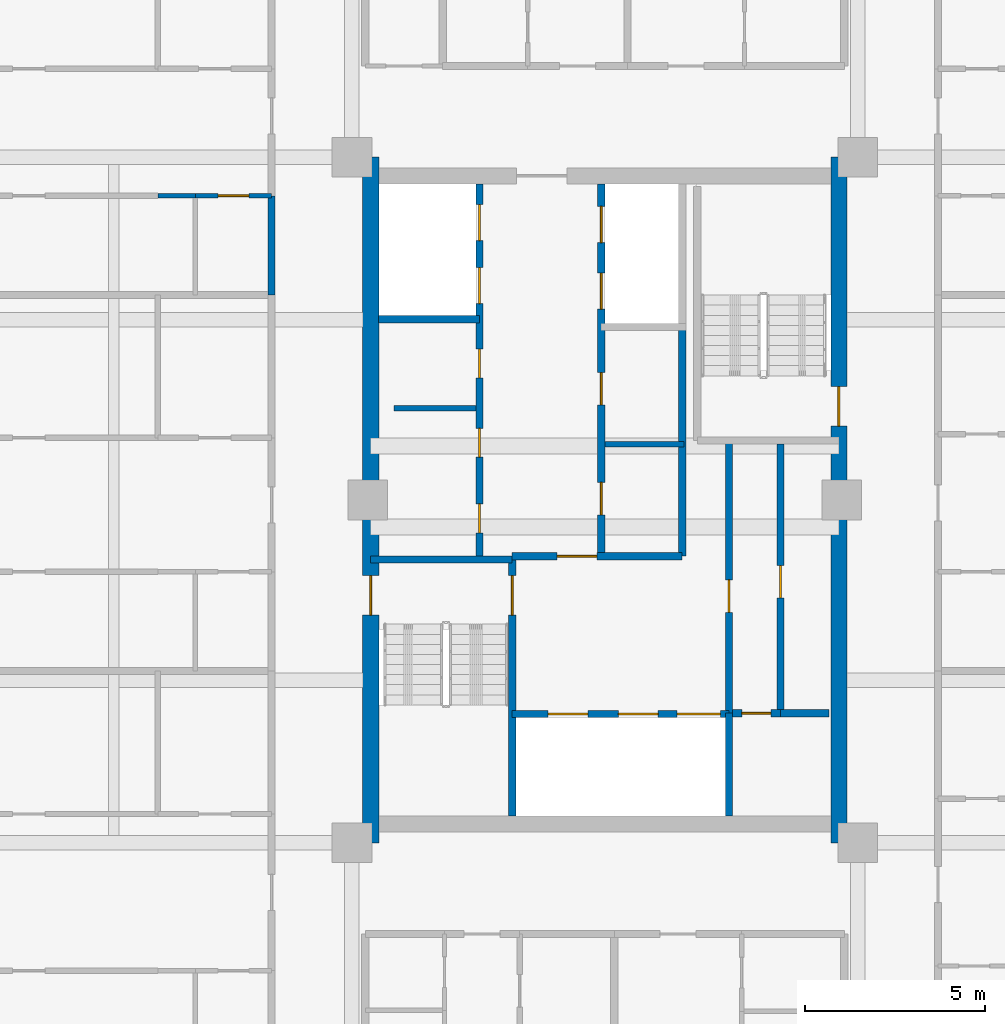
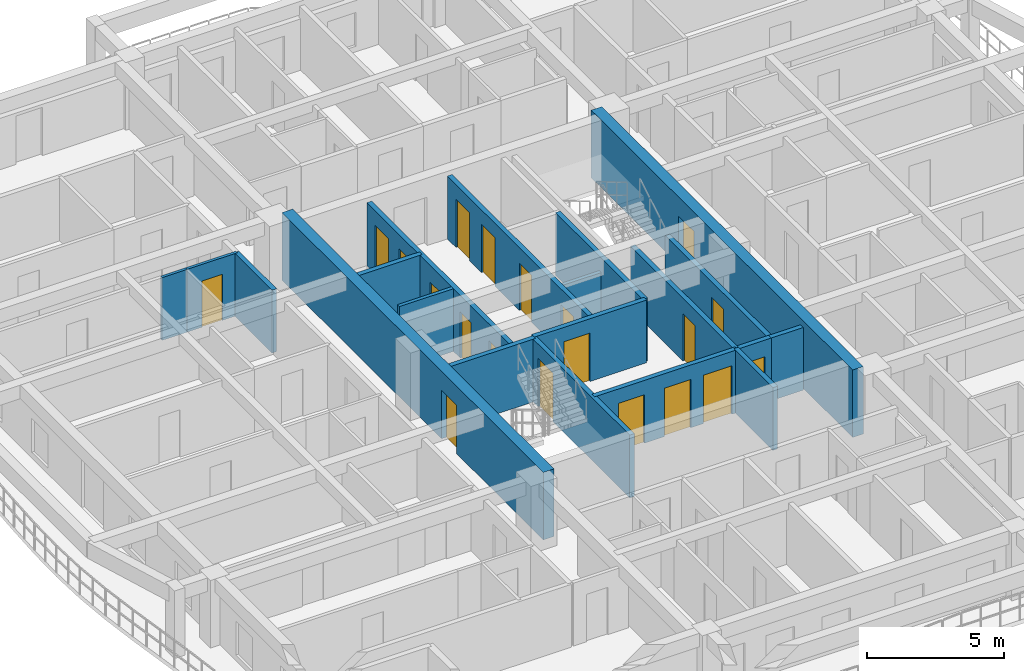
# One storey, part 4 of 13: 20 doors, 20 walls, 20 openings.
"""IFC4 building model written with IfcOpenShell, lengths in metres."""

from ifc_helpers import new_model, si_unit, direction, frame, frame_2d, origin, place, context, subcontext, project, spatial, rectangle, extrude, source, transform, mapped, material, layer, layer_set, type_object, element, fill, save


model = new_model("IFC4")

# Units and contexts
model_context = context("Model", 3, precision=1e-05, world=origin(), true_north=direction((0.0, 1.0)))
body_context = subcontext(model_context, "Body", "Model", "MODEL_VIEW")
ifc_project = project(units=[si_unit("LENGTHUNIT", "METRE"), si_unit("AREAUNIT", "SQUARE_METRE"), si_unit("VOLUMEUNIT", "CUBIC_METRE"), si_unit("PLANEANGLEUNIT", "RADIAN"), si_unit("MASSUNIT", "GRAM", prefix="KILO")], contexts=[model_context])

# Site, building, storey
site_placement = place(None, origin())
site = spatial("IfcSite", under=ifc_project, at=site_placement, CompositionType="ELEMENT")
building_placement = place(site_placement, origin())
building = spatial("IfcBuilding", under=site, at=building_placement, Name="Saelheon Loggia Tower", CompositionType="ELEMENT")
storey_placement = place(building_placement, frame((0.0, 0.0, 179.800048828125)))
storey = spatial("IfcBuildingStorey", under=building, at=storey_placement, Name="L56", CompositionType="ELEMENT", Elevation=179.800048828125)

# Wall, opening, door
ifc_material_1 = material(Name="Concrete C45/55", Category="concrete")
ifc_layer_1 = layer(ifc_material_1, 0.449951171875)
ifc_layer_set_1 = layer_set([ifc_layer_1], Name="Concrete C45/55")
wall_type_1 = type_object("IfcWallType", Name="Wall_CoreShear_450", PredefinedType="SHEAR", material=ifc_layer_set_1)
wall_1_placement = place(storey_placement, frame((31.5, 17.47998046875, 0.0), z_axis=(0.0, 0.0, 1.0), x_axis=(0.0, 1.0, 0.0)))
wall_1 = element("IfcWall", 1, at=wall_1_placement, inside=storey, type_object=wall_type_1, Name="L56 Core Shear Wall West", PredefinedType="SHEAR", context=body_context, shape_type="SweptSolid", body=[
    extrude(rectangle(XDim=19.0400390625, YDim=0.449951171875, at=frame_2d((9.52001953125, 0.0))), origin(), (0.0, 0.0, 1.0), 3.0),
])
opening_1_placement = place(wall_1_placement, frame((6.320068359375, 0.0, 0.0)))
opening_1 = element("IfcOpeningElement", 2, at=opening_1_placement, cuts=wall_1, Name="Opening D-FD2", PredefinedType="OPENING", context=body_context, shape_type="SweptSolid", body=[
    extrude(rectangle(XDim=1.10009765625, YDim=2.14990234375, at=frame_2d((0.550048828125, 1.074951171875))), frame((0.0, 0.237060546875, 0.0), z_axis=(0.0, -1.0, 0.0), x_axis=(1.0, 0.0, 0.0)), (0.0, 0.0, 1.0), 0.473876953125),
])
ifc_material_2 = material(Name="Galvanised Steel Fire Door", Category="steel")
door_type_1 = type_object("IfcDoorType", Name="Door_Fire_FD60_1100", OperationType="NOTDEFINED", PredefinedType="DOOR", material=ifc_material_2)
shared_shape_1 = source(origin(), body_context, "Body", "SweptSolid", [
    extrude(rectangle(XDim=1.10009765625, YDim=2.14990234375, at=frame_2d((0.550048828125, 1.074951171875))), frame((0.0, 0.02490234375, 0.0), z_axis=(0.0, -1.0, 0.0), x_axis=(1.0, 0.0, 0.0)), (0.0, 0.0, 1.0), 0.050048828125),
])
door_1_placement = place(opening_1_placement, origin())
door_1 = element("IfcDoor", 3, at=door_1_placement, inside=storey, type_object=door_type_1, Name="L56 Stair ST1 Corridor Door", OperationType="SINGLE_SWING_LEFT", OverallHeight=2.14990234375, OverallWidth=1.10009765625, PredefinedType="DOOR", context=body_context, shape_type="MappedRepresentation", body=[
    mapped(shared_shape_1, transform((0.0, 0.0, 0.0), scale=1.0)),
])
fill(opening_1, door_1)

wall_2_placement = place(storey_placement, frame((44.5, 17.47998046875, 0.0), z_axis=(0.0, 0.0, 1.0), x_axis=(0.0, 1.0, 0.0)))
wall_2 = element("IfcWall", 4, at=wall_2_placement, inside=storey, type_object=wall_type_1, Name="L56 Core Shear Wall East", PredefinedType="SHEAR", context=body_context, shape_type="SweptSolid", body=[
    extrude(rectangle(XDim=19.0400390625, YDim=0.449951171875, at=frame_2d((9.52001953125, 0.0))), origin(), (0.0, 0.0, 1.0), 3.0),
])
opening_2_placement = place(wall_2_placement, frame((12.670166015625, 0.0, 0.0), z_axis=(0.0, 0.0, 1.0), x_axis=(-1.0, 0.0, 0.0)))
opening_2 = element("IfcOpeningElement", 5, at=opening_2_placement, cuts=wall_2, Name="Opening D-FD2", PredefinedType="OPENING", context=body_context, shape_type="SweptSolid", body=[
    extrude(rectangle(XDim=1.10009765625, YDim=2.14990234375, at=frame_2d((0.550048828125, 1.074951171875))), frame((0.0, 0.237060546875, 0.0), z_axis=(0.0, -1.0, 0.0), x_axis=(1.0, 0.0, 0.0)), (0.0, 0.0, 1.0), 0.473876953125),
])
door_2_placement = place(opening_2_placement, origin())
door_2 = element("IfcDoor", 6, at=door_2_placement, inside=storey, type_object=door_type_1, Name="L56 Stair ST2 Corridor Door", OperationType="SINGLE_SWING_RIGHT", OverallHeight=2.14990234375, OverallWidth=1.10009765625, PredefinedType="DOOR", context=body_context, shape_type="MappedRepresentation", body=[
    mapped(shared_shape_1, transform((0.0, 0.0, 0.0), scale=1.0)),
])
fill(opening_2, door_2)

# Walls
ifc_material_3 = material(Name="Lightweight Autoclaved Aerated Concrete Block and Acoustic Gypsum", Category="concrete")
ifc_layer_2 = layer(ifc_material_3, 0.14990234375)
ifc_layer_set_2 = layer_set([ifc_layer_2], Name="Lightweight Autoclaved Aerated Concrete Block and Acoustic Gypsum")
wall_type_2 = type_object("IfcWallType", Name="Wall_Part_150", PredefinedType="PARTITIONING", material=ifc_layer_set_2)
wall_3_placement = place(storey_placement, frame((32.14990234375, 29.550048828125, 0.0), z_axis=(0.0, 0.0, 1.0), x_axis=(1.0, 0.0, 0.0)))
element("IfcWall", 7, at=wall_3_placement, inside=storey, type_object=wall_type_2, Name="L56 Freed Core Partition PL1", PredefinedType="PARTITIONING", context=body_context, shape_type="SweptSolid", body=[
    extrude(rectangle(XDim=2.27001953125, YDim=0.14990234375, at=frame_2d((1.135009765625, 0.0))), origin(), (0.0, 0.0, 1.0), 2.7900390625),
])
wall_4_placement = place(storey_placement, frame((38.0, 28.550048828125, 0.0), z_axis=(0.0, 0.0, 1.0), x_axis=(1.0, 0.0, 0.0)))
element("IfcWall", 8, at=wall_4_placement, inside=storey, type_object=wall_type_2, Name="L56 Freed Core Partition PM", PredefinedType="PARTITIONING", context=body_context, shape_type="SweptSolid", body=[
    extrude(rectangle(XDim=2.199951171875, YDim=0.14990234375, at=frame_2d((1.10009765625, 0.0))), origin(), (0.0, 0.0, 1.0), 2.139892578125),
])
ifc_material_4 = material(Name="Double Acoustic Stud and Fireboard Partition", Category="gypsum")
ifc_layer_3 = layer(ifc_material_4, 0.199951171875)
ifc_layer_set_3 = layer_set([ifc_layer_3], Name="Double Acoustic Stud and Fireboard Partition")
wall_type_3 = type_object("IfcWallType", Name="Wall_Party_200", PredefinedType="PARTITIONING", material=ifc_layer_set_3)
wall_5_placement = place(storey_placement, frame((28.75, 32.6953125, 0.0), z_axis=(0.0, 0.0, 1.0), x_axis=(0.0, 1.0, 0.0)))
element("IfcWall", 9, at=wall_5_placement, inside=storey, type_object=wall_type_3, Name="L56 W Partition V25", PredefinedType="PARTITIONING", context=body_context, shape_type="SweptSolid", body=[
    extrude(rectangle(XDim=2.75, YDim=0.199951171875, at=frame_2d((1.375, 0.0))), origin(), (0.0, 0.0, 1.0), 2.7900390625),
])

# Wall, opening, door
ifc_material_5 = material(Name="Concrete C40/50", Category="concrete")
ifc_layer_4 = layer(ifc_material_5, 0.199951171875)
ifc_layer_set_4 = layer_set([ifc_layer_4], Name="Concrete C40/50")
wall_type_4 = type_object("IfcWallType", Name="Wall_Shaft_200", PredefinedType="PARTITIONING", material=ifc_layer_set_4)
wall_6_placement = place(storey_placement, frame((41.550048828125, 21.080078125, 0.0), z_axis=(0.0, 0.0, 1.0), x_axis=(1.0, 0.0, 0.0)))
wall_6 = element("IfcWall", 10, at=wall_6_placement, inside=storey, type_object=wall_type_4, Name="CW-BOH-L56-HS", PredefinedType="PARTITIONING", context=body_context, shape_type="SweptSolid", body=[
    extrude(rectangle(XDim=1.329833984375, YDim=0.199951171875, at=frame_2d((0.6650390625, 0.0))), origin(), (0.0, 0.0, 1.0), 2.7900390625),
])
opening_3_placement = place(wall_6_placement, frame((0.260009765625, 0.0, 0.0)))
opening_3 = element("IfcOpeningElement", 11, at=opening_3_placement, cuts=wall_6, Name="Opening D-ST1", PredefinedType="OPENING", context=body_context, shape_type="SweptSolid", body=[
    extrude(rectangle(XDim=0.800048828125, YDim=2.050048828125, at=frame_2d((0.39990234375, 1.02490234375))), frame((0.0, 0.112060546875, 0.0), z_axis=(0.0, -1.0, 0.0), x_axis=(1.0, 0.0, 0.0)), (0.0, 0.0, 1.0), 0.223876953125),
])
ifc_material_6 = material(Name="Powder-Coated Steel Store Door", Category="steel")
door_type_2 = type_object("IfcDoorType", Name="Door_Store_800", OperationType="NOTDEFINED", PredefinedType="DOOR", material=ifc_material_6)
shared_shape_2 = source(origin(), body_context, "Body", "SweptSolid", [
    extrude(rectangle(XDim=0.800048828125, YDim=2.050048828125, at=frame_2d((0.39990234375, 1.02490234375))), frame((0.0, 0.02490234375, 0.0), z_axis=(0.0, -1.0, 0.0), x_axis=(1.0, 0.0, 0.0)), (0.0, 0.0, 1.0), 0.050048828125),
])
door_3_placement = place(opening_3_placement, origin())
door_3 = element("IfcDoor", 12, at=door_3_placement, inside=storey, type_object=door_type_2, Name="L56 Electrical Riser Door", OperationType="SINGLE_SWING_RIGHT", OverallHeight=2.050048828125, OverallWidth=0.800048828125, PredefinedType="DOOR", context=body_context, shape_type="MappedRepresentation", body=[
    mapped(shared_shape_2, transform((0.0, 0.0, 0.0), scale=1.0)),
])
fill(opening_3, door_3)

# Wall
wall_7_placement = place(storey_placement, frame((42.8798828125, 21.080078125, 0.0), z_axis=(0.0, 0.0, 1.0), x_axis=(1.0, 0.0, 0.0)))
element("IfcWall", 13, at=wall_7_placement, inside=storey, type_object=wall_type_4, Name="CW-BOH-L56-HS2", PredefinedType="PARTITIONING", context=body_context, shape_type="SweptSolid", body=[
    extrude(rectangle(XDim=1.340087890625, YDim=0.199951171875, at=frame_2d((0.669921875, 0.0))), origin(), (0.0, 0.0, 1.0), 2.7900390625),
])

# Wall, opening, door
wall_8_placement = place(storey_placement, frame((42.8798828125, 21.080078125, 0.0), z_axis=(0.0, 0.0, 1.0), x_axis=(0.0, 1.0, 0.0)))
wall_8 = element("IfcWall", 14, at=wall_8_placement, inside=storey, type_object=wall_type_4, Name="CW-BOH-L56-VS", PredefinedType="PARTITIONING", context=body_context, shape_type="SweptSolid", body=[
    extrude(rectangle(XDim=7.469970703125, YDim=0.199951171875, at=frame_2d((3.73486328125, 0.0))), origin(), (0.0, 0.0, 1.0), 2.7900390625),
])
opening_4_placement = place(wall_8_placement, frame((3.199951171875, 0.0, 0.0)))
opening_4 = element("IfcOpeningElement", 15, at=opening_4_placement, cuts=wall_8, Name="Opening D-RS1", PredefinedType="OPENING", context=body_context, shape_type="SweptSolid", body=[
    extrude(rectangle(XDim=0.89990234375, YDim=2.10009765625, at=frame_2d((0.449951171875, 1.050048828125))), frame((0.0, 0.112060546875, 0.0), z_axis=(0.0, -1.0, 0.0), x_axis=(1.0, 0.0, 0.0)), (0.0, 0.0, 1.0), 0.223876953125),
])
ifc_material_7 = material(Name="Galvanised Steel Riser Access Door", Category="steel")
door_type_3 = type_object("IfcDoorType", Name="Door_Riser_FD60", OperationType="NOTDEFINED", PredefinedType="DOOR", material=ifc_material_7)
shared_shape_3 = source(origin(), body_context, "Body", "SweptSolid", [
    extrude(rectangle(XDim=0.89990234375, YDim=2.10009765625, at=frame_2d((0.449951171875, 1.050048828125))), frame((0.0, 0.02490234375, 0.0), z_axis=(0.0, -1.0, 0.0), x_axis=(1.0, 0.0, 0.0)), (0.0, 0.0, 1.0), 0.050048828125),
])
door_4_placement = place(opening_4_placement, origin())
door_4 = element("IfcDoor", 16, at=door_4_placement, inside=storey, type_object=door_type_3, Name="L56 Linen Store Door", OperationType="SINGLE_SWING_LEFT", OverallHeight=2.10009765625, OverallWidth=0.89990234375, PredefinedType="DOOR", context=body_context, shape_type="MappedRepresentation", body=[
    mapped(shared_shape_3, transform((0.0, 0.0, 0.0), scale=1.0)),
])
fill(opening_4, door_4)

# Wall
wall_9_placement = place(storey_placement, frame((41.449951171875, 18.219970703125, 0.0), z_axis=(0.0, 0.0, 1.0), x_axis=(0.0, 1.0, 0.0)))
element("IfcWall", 17, at=wall_9_placement, inside=storey, type_object=wall_type_4, Name="CW-INT-L56-BOH-W0", PredefinedType="PARTITIONING", context=body_context, shape_type="SweptSolid", body=[
    extrude(rectangle(XDim=2.860107421875, YDim=0.199951171875, at=frame_2d((1.43017578125, 0.0))), origin(), (0.0, 0.0, 1.0), 2.7900390625),
])

# Wall, opening, door
wall_10_placement = place(storey_placement, frame((41.449951171875, 21.080078125, 0.0), z_axis=(0.0, 0.0, 1.0), x_axis=(0.0, 1.0, 0.0)))
wall_10 = element("IfcWall", 18, at=wall_10_placement, inside=storey, type_object=wall_type_4, Name="CW-INT-L56-BOH-W1", PredefinedType="PARTITIONING", context=body_context, shape_type="SweptSolid", body=[
    extrude(rectangle(XDim=7.52001953125, YDim=0.199951171875, at=frame_2d((3.760009765625, 0.0))), origin(), (0.0, 0.0, 1.0), 2.7900390625),
])
opening_5_placement = place(wall_10_placement, frame((2.800048828125, 0.0, 0.0)))
opening_5 = element("IfcOpeningElement", 19, at=opening_5_placement, cuts=wall_10, Name="Opening D-RS1", PredefinedType="OPENING", context=body_context, shape_type="SweptSolid", body=[
    extrude(rectangle(XDim=0.89990234375, YDim=2.10009765625, at=frame_2d((0.449951171875, 1.050048828125))), frame((0.0, 0.112060546875, 0.0), z_axis=(0.0, -1.0, 0.0), x_axis=(1.0, 0.0, 0.0)), (0.0, 0.0, 1.0), 0.223876953125),
])
door_5_placement = place(opening_5_placement, origin())
door_5 = element("IfcDoor", 20, at=door_5_placement, inside=storey, type_object=door_type_3, Name="L56 Service Store Door", OperationType="SINGLE_SWING_RIGHT", OverallHeight=2.10009765625, OverallWidth=0.89990234375, PredefinedType="DOOR", context=body_context, shape_type="MappedRepresentation", body=[
    mapped(shared_shape_3, transform((0.0, 0.0, 0.0), scale=1.0)),
])
fill(opening_5, door_5)

# Wall
wall_11_placement = place(storey_placement, frame((40.14990234375, 25.43994140625, 0.0), z_axis=(0.0, 0.0, 1.0), x_axis=(0.0, 1.0, 0.0)))
element("IfcWall", 21, at=wall_11_placement, inside=storey, type_object=wall_type_4, Name="L56 Core Service Passage West Wall", PredefinedType="PARTITIONING", context=body_context, shape_type="SweptSolid", body=[
    extrude(rectangle(XDim=6.360107421875, YDim=0.199951171875, at=frame_2d((3.18017578125, 0.0))), origin(), (0.0, 0.0, 1.0), 2.7900390625),
])

# Wall, openings, doors
wall_12_placement = place(storey_placement, frame((35.429931640625, 21.06005859375, 0.0), z_axis=(0.0, 0.0, 1.0), x_axis=(1.0, 0.0, 0.0)))
wall_12 = element("IfcWall", 22, at=wall_12_placement, inside=storey, type_object=wall_type_4, Name="L56 Firefighting Lift Shaft Front Wall", PredefinedType="PARTITIONING", context=body_context, shape_type="SweptSolid", body=[
    extrude(rectangle(XDim=6.02001953125, YDim=0.199951171875, at=frame_2d((3.010009765625, 0.0))), origin(), (0.0, 0.0, 1.0), 2.7900390625),
])
opening_6_placement = place(wall_12_placement, frame((1.0, 0.0, 0.0)))
opening_6 = element("IfcOpeningElement", 23, at=opening_6_placement, cuts=wall_12, Name="Opening LD2", PredefinedType="OPENING", context=body_context, shape_type="SweptSolid", body=[
    extrude(rectangle(XDim=1.10009765625, YDim=2.14990234375, at=frame_2d((0.550048828125, 1.074951171875))), frame((0.0, 0.112060546875, 0.0), z_axis=(0.0, -1.0, 0.0), x_axis=(1.0, 0.0, 0.0)), (0.0, 0.0, 1.0), 0.223876953125),
])
opening_7_placement = place(wall_12_placement, frame((2.949951171875, 0.0, 0.0)))
opening_7 = element("IfcOpeningElement", 24, at=opening_7_placement, cuts=wall_12, Name="Opening LD2", PredefinedType="OPENING", context=body_context, shape_type="SweptSolid", body=[
    extrude(rectangle(XDim=1.10009765625, YDim=2.14990234375, at=frame_2d((0.550048828125, 1.074951171875))), frame((0.0, 0.112060546875, 0.0), z_axis=(0.0, -1.0, 0.0), x_axis=(1.0, 0.0, 0.0)), (0.0, 0.0, 1.0), 0.223876953125),
])
opening_8_placement = place(wall_12_placement, frame((4.580078125, 0.0, 0.0)))
opening_8 = element("IfcOpeningElement", 25, at=opening_8_placement, cuts=wall_12, Name="Opening LD3", PredefinedType="OPENING", context=body_context, shape_type="SweptSolid", body=[
    extrude(rectangle(XDim=1.199951171875, YDim=2.14990234375, at=frame_2d((0.60009765625, 1.074951171875))), frame((0.0, 0.112060546875, 0.0), z_axis=(0.0, -1.0, 0.0), x_axis=(1.0, 0.0, 0.0)), (0.0, 0.0, 1.0), 0.223876953125),
])
ifc_material_8 = material(Name="Firefighting Stainless Steel 316 Landing Door", Category="steel")
door_type_4 = type_object("IfcDoorType", Name="Door_Lift_LD2", OperationType="DOUBLE_DOOR_SLIDING", PredefinedType="DOOR", material=ifc_material_8)
door_6_placement = place(opening_6_placement, origin())
door_6 = element("IfcDoor", 26, at=door_6_placement, inside=storey, type_object=door_type_4, Name="L56 FF1 Landing Door", OperationType="DOUBLE_DOOR_SLIDING", OverallHeight=2.14990234375, OverallWidth=1.10009765625, PredefinedType="DOOR", context=body_context, shape_type="MappedRepresentation", body=[
    mapped(shared_shape_1, transform((0.0, 0.0, 0.0), scale=1.0)),
])
fill(opening_6, door_6)
door_7_placement = place(opening_7_placement, origin())
door_7 = element("IfcDoor", 27, at=door_7_placement, inside=storey, type_object=door_type_4, Name="L56 FF2 Landing Door", OperationType="DOUBLE_DOOR_SLIDING", OverallHeight=2.14990234375, OverallWidth=1.10009765625, PredefinedType="DOOR", context=body_context, shape_type="MappedRepresentation", body=[
    mapped(shared_shape_1, transform((0.0, 0.0, 0.0), scale=1.0)),
])
fill(opening_7, door_7)
ifc_material_9 = material(Name="Stretcher Lift Stainless Steel 304 Landing Door", Category="steel")
door_type_5 = type_object("IfcDoorType", Name="Door_Lift_LD3", OperationType="DOUBLE_DOOR_SLIDING", PredefinedType="DOOR", material=ifc_material_9)
shared_shape_4 = source(origin(), body_context, "Body", "SweptSolid", [
    extrude(rectangle(XDim=1.199951171875, YDim=2.14990234375, at=frame_2d((0.60009765625, 1.074951171875))), frame((0.0, 0.02490234375, 0.0), z_axis=(0.0, -1.0, 0.0), x_axis=(1.0, 0.0, 0.0)), (0.0, 0.0, 1.0), 0.050048828125),
])
door_8_placement = place(opening_8_placement, origin())
door_8 = element("IfcDoor", 28, at=door_8_placement, inside=storey, type_object=door_type_5, Name="L56 SV1 Landing Door", OperationType="DOUBLE_DOOR_SLIDING", OverallHeight=2.14990234375, OverallWidth=1.199951171875, PredefinedType="DOOR", context=body_context, shape_type="MappedRepresentation", body=[
    mapped(shared_shape_4, transform((0.0, 0.0, 0.0), scale=1.0)),
])
fill(opening_8, door_8)

# Wall, opening, door
wall_13_placement = place(storey_placement, frame((35.429931640625, 25.43994140625, 0.0), z_axis=(0.0, 0.0, 1.0), x_axis=(1.0, 0.0, 0.0)))
wall_13 = element("IfcWall", 29, at=wall_13_placement, inside=storey, type_object=wall_type_4, Name="L56 Firefighting Lobby Compartment Wall", PredefinedType="PARTITIONING", context=body_context, shape_type="SweptSolid", body=[
    extrude(rectangle(XDim=4.719970703125, YDim=0.199951171875, at=frame_2d((2.35986328125, 0.0))), origin(), (0.0, 0.0, 1.0), 2.7900390625),
])
opening_9_placement = place(wall_13_placement, frame((1.25, 0.0, 0.0)))
opening_9 = element("IfcOpeningElement", 30, at=opening_9_placement, cuts=wall_13, Name="Opening D-FD2", PredefinedType="OPENING", context=body_context, shape_type="SweptSolid", body=[
    extrude(rectangle(XDim=1.10009765625, YDim=2.14990234375, at=frame_2d((0.550048828125, 1.074951171875))), frame((0.0, 0.112060546875, 0.0), z_axis=(0.0, -1.0, 0.0), x_axis=(1.0, 0.0, 0.0)), (0.0, 0.0, 1.0), 0.223876953125),
])
door_9_placement = place(opening_9_placement, origin())
door_9 = element("IfcDoor", 31, at=door_9_placement, inside=storey, type_object=door_type_1, Name="L56 Firefighting Lobby Door", OperationType="SINGLE_SWING_LEFT", OverallHeight=2.14990234375, OverallWidth=1.10009765625, PredefinedType="DOOR", context=body_context, shape_type="MappedRepresentation", body=[
    mapped(shared_shape_1, transform((0.0, 0.0, 0.0), scale=1.0)),
])
fill(opening_9, door_9)

# Wall, openings, doors
wall_14_placement = place(storey_placement, frame((34.52001953125, 25.43994140625, 0.0), z_axis=(0.0, 0.0, 1.0), x_axis=(0.0, 1.0, 0.0)))
wall_14 = element("IfcWall", 32, at=wall_14_placement, inside=storey, type_object=wall_type_4, Name="L56 West Passenger Lift Bank Wall", PredefinedType="PARTITIONING", context=body_context, shape_type="SweptSolid", body=[
    extrude(rectangle(XDim=10.340087890625, YDim=0.199951171875, at=frame_2d((5.169921875, 0.0))), origin(), (0.0, 0.0, 1.0), 2.7900390625),
])
opening_10_placement = place(wall_14_placement, frame((0.64990234375, 0.0, 0.0)))
opening_10 = element("IfcOpeningElement", 33, at=opening_10_placement, cuts=wall_14, Name="Opening D-ST1", PredefinedType="OPENING", context=body_context, shape_type="SweptSolid", body=[
    extrude(rectangle(XDim=0.800048828125, YDim=2.050048828125, at=frame_2d((0.39990234375, 1.02490234375))), frame((0.0, 0.112060546875, 0.0), z_axis=(0.0, -1.0, 0.0), x_axis=(1.0, 0.0, 0.0)), (0.0, 0.0, 1.0), 0.223876953125),
])
opening_11_placement = place(wall_14_placement, frame((2.75, 0.0, 0.0)))
opening_11 = element("IfcOpeningElement", 34, at=opening_11_placement, cuts=wall_14, Name="Opening D-ST1", PredefinedType="OPENING", context=body_context, shape_type="SweptSolid", body=[
    extrude(rectangle(XDim=0.800048828125, YDim=2.050048828125, at=frame_2d((0.39990234375, 1.02490234375))), frame((0.0, 0.112060546875, 0.0), z_axis=(0.0, -1.0, 0.0), x_axis=(1.0, 0.0, 0.0)), (0.0, 0.0, 1.0), 0.223876953125),
])
opening_12_placement = place(wall_14_placement, frame((4.949951171875, 0.0, 0.0)))
opening_12 = element("IfcOpeningElement", 35, at=opening_12_placement, cuts=wall_14, Name="Opening D-ST1", PredefinedType="OPENING", context=body_context, shape_type="SweptSolid", body=[
    extrude(rectangle(XDim=0.800048828125, YDim=2.050048828125, at=frame_2d((0.39990234375, 1.02490234375))), frame((0.0, 0.112060546875, 0.0), z_axis=(0.0, -1.0, 0.0), x_axis=(1.0, 0.0, 0.0)), (0.0, 0.0, 1.0), 0.223876953125),
])
opening_13_placement = place(wall_14_placement, frame((7.010009765625, 0.0, 0.0)))
opening_13 = element("IfcOpeningElement", 36, at=opening_13_placement, cuts=wall_14, Name="Opening LD1", PredefinedType="OPENING", context=body_context, shape_type="SweptSolid", body=[
    extrude(rectangle(XDim=1.0, YDim=2.14990234375, at=frame_2d((0.5, 1.074951171875))), frame((0.0, 0.112060546875, 0.0), z_axis=(0.0, -1.0, 0.0), x_axis=(1.0, 0.0, 0.0)), (0.0, 0.0, 1.0), 0.223876953125),
])
opening_14_placement = place(wall_14_placement, frame((8.760009765625, 0.0, 0.0)))
opening_14 = element("IfcOpeningElement", 37, at=opening_14_placement, cuts=wall_14, Name="Opening LD1", PredefinedType="OPENING", context=body_context, shape_type="SweptSolid", body=[
    extrude(rectangle(XDim=1.0, YDim=2.14990234375, at=frame_2d((0.5, 1.074951171875))), frame((0.0, 0.112060546875, 0.0), z_axis=(0.0, -1.0, 0.0), x_axis=(1.0, 0.0, 0.0)), (0.0, 0.0, 1.0), 0.223876953125),
])
ifc_material_10 = material(Name="Brushed Stainless Steel 304 Landing Door", Category="steel")
door_type_6 = type_object("IfcDoorType", Name="Door_Lift_LD1", OperationType="DOUBLE_DOOR_SLIDING", PredefinedType="DOOR", material=ifc_material_10)
shared_shape_5 = source(origin(), body_context, "Body", "SweptSolid", [
    extrude(rectangle(XDim=1.0, YDim=2.14990234375, at=frame_2d((0.5, 1.074951171875))), frame((0.0, 0.02490234375, 0.0), z_axis=(0.0, -1.0, 0.0), x_axis=(1.0, 0.0, 0.0)), (0.0, 0.0, 1.0), 0.050048828125),
])
door_10_placement = place(opening_13_placement, origin())
door_10 = element("IfcDoor", 38, at=door_10_placement, inside=storey, type_object=door_type_6, Name="L56 PH1 Landing Door", OperationType="DOUBLE_DOOR_SLIDING", OverallHeight=2.14990234375, OverallWidth=1.0, PredefinedType="DOOR", context=body_context, shape_type="MappedRepresentation", body=[
    mapped(shared_shape_5, transform((0.0, 0.0, 0.0), scale=1.0)),
])
fill(opening_13, door_10)
door_11_placement = place(opening_14_placement, origin())
door_11 = element("IfcDoor", 39, at=door_11_placement, inside=storey, type_object=door_type_6, Name="L56 PH2 Landing Door", OperationType="DOUBLE_DOOR_SLIDING", OverallHeight=2.14990234375, OverallWidth=1.0, PredefinedType="DOOR", context=body_context, shape_type="MappedRepresentation", body=[
    mapped(shared_shape_5, transform((0.0, 0.0, 0.0), scale=1.0)),
])
fill(opening_14, door_11)
door_12_placement = place(opening_10_placement, origin())
door_12 = element("IfcDoor", 40, at=door_12_placement, inside=storey, type_object=door_type_2, Name="L56 Telecom Store Door", OperationType="SINGLE_SWING_LEFT", OverallHeight=2.050048828125, OverallWidth=0.800048828125, PredefinedType="DOOR", context=body_context, shape_type="MappedRepresentation", body=[
    mapped(shared_shape_2, transform((0.0, 0.0, 0.0), scale=1.0)),
])
fill(opening_10, door_12)
door_13_placement = place(opening_11_placement, origin())
door_13 = element("IfcDoor", 41, at=door_13_placement, inside=storey, type_object=door_type_2, Name="L56 Linen Closet Door", OperationType="SINGLE_SWING_RIGHT", OverallHeight=2.050048828125, OverallWidth=0.800048828125, PredefinedType="DOOR", context=body_context, shape_type="MappedRepresentation", body=[
    mapped(shared_shape_2, transform((0.0, 0.0, 0.0), scale=1.0)),
])
fill(opening_11, door_13)
door_14_placement = place(opening_12_placement, origin())
door_14 = element("IfcDoor", 42, at=door_14_placement, inside=storey, type_object=door_type_2, Name="L56 Metering Store Door", OperationType="SINGLE_SWING_LEFT", OverallHeight=2.050048828125, OverallWidth=0.800048828125, PredefinedType="DOOR", context=body_context, shape_type="MappedRepresentation", body=[
    mapped(shared_shape_2, transform((0.0, 0.0, 0.0), scale=1.0)),
])
fill(opening_12, door_14)

# Wall
wall_15_placement = place(storey_placement, frame((31.719970703125, 32.02001953125, 0.0), z_axis=(0.0, 0.0, 1.0), x_axis=(1.0, 0.0, 0.0)))
element("IfcWall", 43, at=wall_15_placement, inside=storey, type_object=wall_type_4, Name="L56 West High-Rise Shaft Divider", PredefinedType="PARTITIONING", context=body_context, shape_type="SweptSolid", body=[
    extrude(rectangle(XDim=2.800048828125, YDim=0.199951171875, at=frame_2d((1.39990234375, 0.0))), origin(), (0.0, 0.0, 1.0), 2.7900390625),
])

# Wall, openings, doors
wall_16_placement = place(storey_placement, frame((37.89990234375, 25.43994140625, 0.0), z_axis=(0.0, 0.0, 1.0), x_axis=(0.0, 1.0, 0.0)))
wall_16 = element("IfcWall", 44, at=wall_16_placement, inside=storey, type_object=wall_type_4, Name="L56 East Passenger Lift Bank Wall", PredefinedType="PARTITIONING", context=body_context, shape_type="SweptSolid", body=[
    extrude(rectangle(XDim=10.340087890625, YDim=0.199951171875, at=frame_2d((5.169921875, 0.0))), origin(), (0.0, 0.0, 1.0), 2.7900390625),
])
opening_15_placement = place(wall_16_placement, frame((1.14990234375, 0.0, 0.0)))
opening_15 = element("IfcOpeningElement", 45, at=opening_15_placement, cuts=wall_16, Name="Opening D-RS1", PredefinedType="OPENING", context=body_context, shape_type="SweptSolid", body=[
    extrude(rectangle(XDim=0.89990234375, YDim=2.10009765625, at=frame_2d((0.449951171875, 1.050048828125))), frame((0.0, 0.112060546875, 0.0), z_axis=(0.0, -1.0, 0.0), x_axis=(1.0, 0.0, 0.0)), (0.0, 0.0, 1.0), 0.223876953125),
])
opening_16_placement = place(wall_16_placement, frame((4.199951171875, 0.0, 0.0)))
opening_16 = element("IfcOpeningElement", 46, at=opening_16_placement, cuts=wall_16, Name="Opening D-RS1", PredefinedType="OPENING", context=body_context, shape_type="SweptSolid", body=[
    extrude(rectangle(XDim=0.89990234375, YDim=2.10009765625, at=frame_2d((0.449951171875, 1.050048828125))), frame((0.0, 0.112060546875, 0.0), z_axis=(0.0, -1.0, 0.0), x_axis=(1.0, 0.0, 0.0)), (0.0, 0.0, 1.0), 0.223876953125),
])
opening_17_placement = place(wall_16_placement, frame((6.860107421875, 0.0, 0.0)))
opening_17 = element("IfcOpeningElement", 47, at=opening_17_placement, cuts=wall_16, Name="Opening LD1", PredefinedType="OPENING", context=body_context, shape_type="SweptSolid", body=[
    extrude(rectangle(XDim=1.0, YDim=2.14990234375, at=frame_2d((0.5, 1.074951171875))), frame((0.0, 0.112060546875, 0.0), z_axis=(0.0, -1.0, 0.0), x_axis=(1.0, 0.0, 0.0)), (0.0, 0.0, 1.0), 0.223876953125),
])
opening_18_placement = place(wall_16_placement, frame((8.7099609375, 0.0, 0.0)))
opening_18 = element("IfcOpeningElement", 48, at=opening_18_placement, cuts=wall_16, Name="Opening LD1", PredefinedType="OPENING", context=body_context, shape_type="SweptSolid", body=[
    extrude(rectangle(XDim=1.0, YDim=2.14990234375, at=frame_2d((0.5, 1.074951171875))), frame((0.0, 0.112060546875, 0.0), z_axis=(0.0, -1.0, 0.0), x_axis=(1.0, 0.0, 0.0)), (0.0, 0.0, 1.0), 0.223876953125),
])
door_15_placement = place(opening_15_placement, origin())
door_15 = element("IfcDoor", 49, at=door_15_placement, inside=storey, type_object=door_type_3, Name="L56 Upper Housekeeping Door", OperationType="SINGLE_SWING_RIGHT", OverallHeight=2.10009765625, OverallWidth=0.89990234375, PredefinedType="DOOR", context=body_context, shape_type="MappedRepresentation", body=[
    mapped(shared_shape_3, transform((0.0, 0.0, 0.0), scale=1.0)),
])
fill(opening_15, door_15)
door_16_placement = place(opening_16_placement, origin())
door_16 = element("IfcDoor", 50, at=door_16_placement, inside=storey, type_object=door_type_3, Name="L56 Upper Pantry Door", OperationType="SINGLE_SWING_LEFT", OverallHeight=2.10009765625, OverallWidth=0.89990234375, PredefinedType="DOOR", context=body_context, shape_type="MappedRepresentation", body=[
    mapped(shared_shape_3, transform((0.0, 0.0, 0.0), scale=1.0)),
])
fill(opening_16, door_16)
door_17_placement = place(opening_17_placement, origin())
door_17 = element("IfcDoor", 51, at=door_17_placement, inside=storey, type_object=door_type_6, Name="L56 PH3 Landing Door", OperationType="DOUBLE_DOOR_SLIDING", OverallHeight=2.14990234375, OverallWidth=1.0, PredefinedType="DOOR", context=body_context, shape_type="MappedRepresentation", body=[
    mapped(shared_shape_5, transform((0.0, 0.0, 0.0), scale=1.0)),
])
fill(opening_17, door_17)
door_18_placement = place(opening_18_placement, origin())
door_18 = element("IfcDoor", 52, at=door_18_placement, inside=storey, type_object=door_type_6, Name="L56 PH4 Landing Door", OperationType="DOUBLE_DOOR_SLIDING", OverallHeight=2.14990234375, OverallWidth=1.0, PredefinedType="DOOR", context=body_context, shape_type="MappedRepresentation", body=[
    mapped(shared_shape_5, transform((0.0, 0.0, 0.0), scale=1.0)),
])
fill(opening_18, door_18)

# Wall, opening, door
ifc_layer_5 = layer(ifc_material_1, 0.199951171875)
ifc_layer_set_5 = layer_set([ifc_layer_5], Name="Concrete C45/55")
wall_type_5 = type_object("IfcWallType", Name="Wall_StairShaft_RC200", PredefinedType="SOLIDWALL", material=ifc_layer_set_5)
wall_17_placement = place(storey_placement, frame((35.429931640625, 18.219970703125, 0.0), z_axis=(0.0, 0.0, 1.0), x_axis=(0.0, 1.0, 0.0)))
wall_17 = element("IfcWall", 53, at=wall_17_placement, inside=storey, type_object=wall_type_5, Name="L56 Stair ST1 Shaft Wall", PredefinedType="SOLIDWALL", context=body_context, shape_type="SweptSolid", body=[
    extrude(rectangle(XDim=7.219970703125, YDim=0.199951171875, at=frame_2d((3.60986328125, 0.0))), origin(), (0.0, 0.0, 1.0), 2.7900390625),
])
opening_19_placement = place(wall_17_placement, frame((6.68017578125, 0.0, 0.0), z_axis=(0.0, 0.0, 1.0), x_axis=(-1.0, 0.0, 0.0)))
opening_19 = element("IfcOpeningElement", 54, at=opening_19_placement, cuts=wall_17, Name="Opening D-FD2", PredefinedType="OPENING", context=body_context, shape_type="SweptSolid", body=[
    extrude(rectangle(XDim=1.10009765625, YDim=2.14990234375, at=frame_2d((0.550048828125, 1.074951171875))), frame((0.0, 0.112060546875, 0.0), z_axis=(0.0, -1.0, 0.0), x_axis=(1.0, 0.0, 0.0)), (0.0, 0.0, 1.0), 0.223876953125),
])
door_19_placement = place(opening_19_placement, origin())
door_19 = element("IfcDoor", 55, at=door_19_placement, inside=storey, type_object=door_type_1, Name="L56 Stair ST1 Lobby Door", OperationType="SINGLE_SWING_RIGHT", OverallHeight=2.14990234375, OverallWidth=1.10009765625, PredefinedType="DOOR", context=body_context, shape_type="MappedRepresentation", body=[
    mapped(shared_shape_1, transform((0.0, 0.0, 0.0), scale=1.0)),
])
fill(opening_19, door_19)

# Wall
wall_18_placement = place(storey_placement, frame((31.5, 25.35009765625, 0.0), z_axis=(0.0, 0.0, 1.0), x_axis=(1.0, 0.0, 0.0)))
element("IfcWall", 56, at=wall_18_placement, inside=storey, type_object=wall_type_5, Name="L56 Stair ST1 North Wall", PredefinedType="SOLIDWALL", context=body_context, shape_type="SweptSolid", body=[
    extrude(rectangle(XDim=3.929931640625, YDim=0.199951171875, at=frame_2d((1.96484375, 0.0))), origin(), (0.0, 0.0, 1.0), 2.7900390625),
])

# Wall, opening, door
ifc_material_11 = material(Name="Moisture-Resistant Cement Board Partition", Category="gypsum")
ifc_layer_6 = layer(ifc_material_11, 0.1201171875)
ifc_layer_set_6 = layer_set([ifc_layer_6], Name="Moisture-Resistant Cement Board Partition")
wall_type_6 = type_object("IfcWallType", Name="Wall_WetPart_120", PredefinedType="PARTITIONING", material=ifc_layer_set_6)
wall_19_placement = place(storey_placement, frame((28.75, 35.4453125, 0.0), z_axis=(0.0, 0.0, 1.0), x_axis=(-1.0, 0.0, 0.0)))
wall_19 = element("IfcWall", 57, at=wall_19_placement, inside=storey, type_object=wall_type_6, Name="L56 W Partition U30", PredefinedType="PARTITIONING", context=body_context, shape_type="SweptSolid", body=[
    extrude(rectangle(XDim=2.1201171875, YDim=0.1201171875, at=frame_2d((1.06005859375, 0.0))), origin(), (0.0, 0.0, 1.0), 2.7900390625),
])
opening_20_placement = place(wall_19_placement, frame((0.635009765625, 0.0, 0.0)))
opening_20 = element("IfcOpeningElement", 58, at=opening_20_placement, cuts=wall_19, Name="Opening D-BT1", PredefinedType="OPENING", context=body_context, shape_type="SweptSolid", body=[
    extrude(rectangle(XDim=0.85009765625, YDim=2.050048828125, at=frame_2d((0.425048828125, 1.02490234375))), frame((0.0, 0.072021484375, 0.0), z_axis=(0.0, -1.0, 0.0), x_axis=(1.0, 0.0, 0.0)), (0.0, 0.0, 1.0), 0.14404296875),
])
ifc_material_12 = material(Name="Moisture-Resistant Laminate Timber Door", Category="wood")
door_type_7 = type_object("IfcDoorType", Name="Door_Bath_850", OperationType="NOTDEFINED", PredefinedType="DOOR", material=ifc_material_12)
shared_shape_6 = source(origin(), body_context, "Body", "SweptSolid", [
    extrude(rectangle(XDim=0.85009765625, YDim=2.050048828125, at=frame_2d((0.425048828125, 1.02490234375))), frame((0.0, 0.02490234375, 0.0), z_axis=(0.0, -1.0, 0.0), x_axis=(1.0, 0.0, 0.0)), (0.0, 0.0, 1.0), 0.050048828125),
])
door_20_placement = place(opening_20_placement, origin())
door_20 = element("IfcDoor", 59, at=door_20_placement, inside=storey, type_object=door_type_7, Name="Unit U07 Bathroom Door", OperationType="SINGLE_SWING_RIGHT", OverallHeight=2.050048828125, OverallWidth=0.85009765625, PredefinedType="DOOR", context=body_context, shape_type="MappedRepresentation", body=[
    mapped(shared_shape_6, transform((0.0, 0.0, 0.0), scale=1.0)),
])
fill(opening_20, door_20)

# Wall
wall_20_placement = place(storey_placement, frame((26.6298828125, 35.4453125, 0.0), z_axis=(0.0, 0.0, 1.0), x_axis=(-1.0, 0.0, 0.0)))
element("IfcWall", 60, at=wall_20_placement, inside=storey, type_object=wall_type_6, Name="L56 W Partition U31", PredefinedType="PARTITIONING", context=body_context, shape_type="SweptSolid", body=[
    extrude(rectangle(XDim=1.039794921875, YDim=0.1201171875, at=frame_2d((0.52001953125, 0.0))), origin(), (0.0, 0.0, 1.0), 2.7900390625),
])

save(model, "model.ifc")
